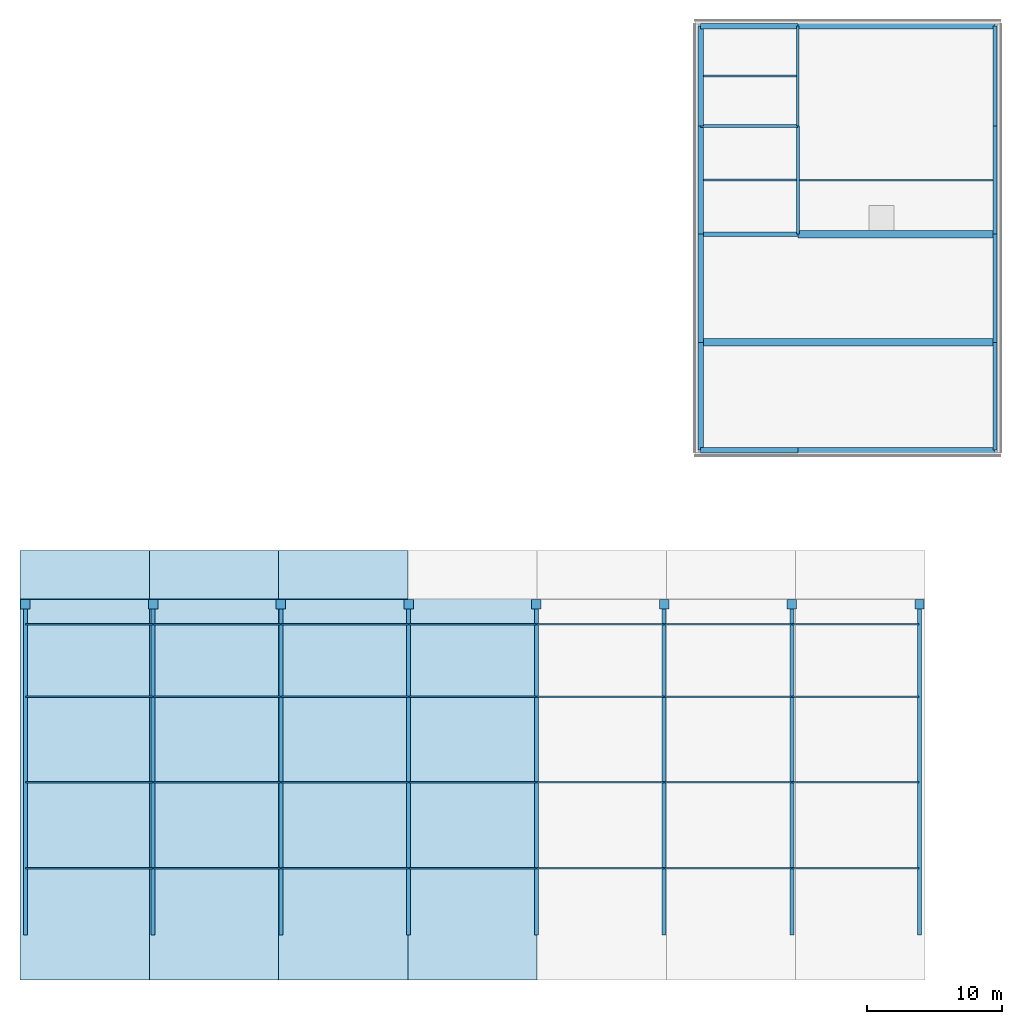
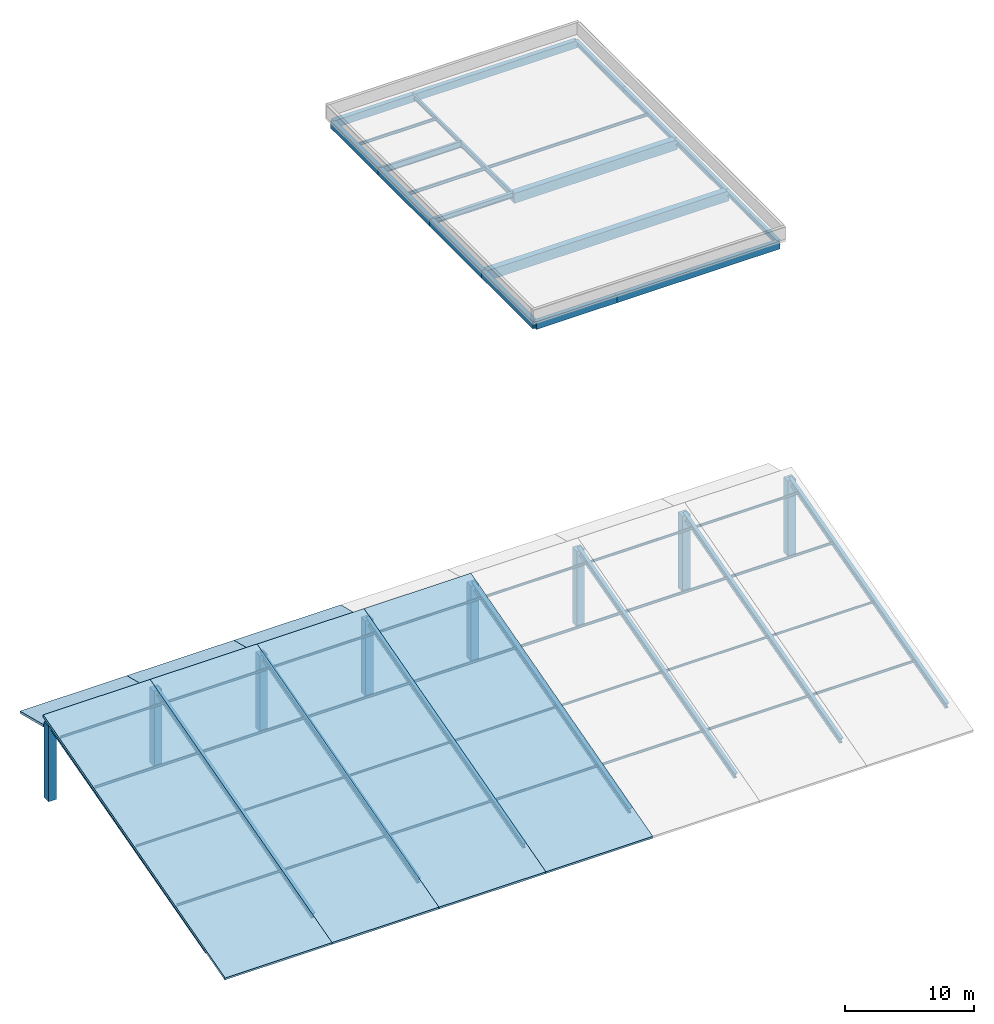
# One storey, part 1 of 3: 29 beams, 28 members, 8 columns, 7 slabs, 4 elements without a shape of their own.
"""IFC4 building model written with IfcOpenShell, lengths in metres."""

import ifcopenshell
import ifcopenshell.guid

model = None  # the IFC model being written
_history = None  # IfcOwnerHistory: only IFC2X3 demands one
_inside = {}  # id of a spatial element -> (the spatial element, [elements in it])
_under = {}  # id of a project, library or spatial element -> (it, [spatial elements below it])
_declared = {}  # id of a project -> (the project, [libraries it declares])
_typed = {}  # id of a type object -> (the type object, [elements of that type])
_made_of = {}  # id of a material, layer set ... -> (it, [elements and type objects made of it])


def new_model(schema):
    """Start an empty IFC model of exactly this schema.

    Asked for "IFC4X3", IfcOpenShell would pick the latest addendum, in which some entities
    have other attributes; the version numbers below select the first issue.
    IFC2X3 requires an IfcOwnerHistory on every rooted entity: one is made here for all.
    """
    global model, _history
    if schema == "IFC4X3":
        model = ifcopenshell.file(schema_version=(4, 3, 0, 0))
    else:
        model = ifcopenshell.file(schema=schema)
    _inside.clear()
    _under.clear()
    _declared.clear()
    _typed.clear()
    _made_of.clear()
    _history = None
    if model.schema == "IFC2X3":
        org = make("IfcOrganization", Name="unknown")
        user = make(
            "IfcPersonAndOrganization",
            ThePerson=make("IfcPerson", FamilyName="unknown"),
            TheOrganization=org,
        )
        app = make(
            "IfcApplication",
            ApplicationDeveloper=org,
            Version="unknown",
            ApplicationFullName="unknown",
            ApplicationIdentifier="unknown",
        )
        _history = make(
            "IfcOwnerHistory",
            OwningUser=user,
            OwningApplication=app,
            ChangeAction="ADDED",
            CreationDate=0,
        )
    return model


def make(cls, **values):
    """One entity of the class cls with the attributes given. An attribute that is None is left unset."""
    return model.create_entity(
        cls, **{name: value for name, value in values.items() if value is not None}
    )


def rooted(cls, **values):
    """An entity with a GlobalId (a new one), such as an element, a storey or a relation."""
    return make(cls, GlobalId=ifcopenshell.guid.new(), OwnerHistory=_history, **values)


def si_unit(unit_type, name, prefix=None):
    """IfcSIUnit, for example si_unit("LENGTHUNIT", "METRE", prefix="MILLI")."""
    return make("IfcSIUnit", UnitType=unit_type, Prefix=prefix, Name=name)


def assignment(units):
    """IfcUnitAssignment: the units of a project."""
    return None if units is None else make("IfcUnitAssignment", Units=units)


def point(xyz):
    """IfcCartesianPoint."""
    return None if xyz is None else make("IfcCartesianPoint", Coordinates=xyz)


def direction(xyz):
    """IfcDirection."""
    return None if xyz is None else make("IfcDirection", DirectionRatios=xyz)


def frame(location, z_axis=None, x_axis=None):
    """IfcAxis2Placement3D, a coordinate frame: its origin and axes. An axis left out is left unset."""
    return make(
        "IfcAxis2Placement3D",
        Location=point(location),
        Axis=direction(z_axis),
        RefDirection=direction(x_axis),
    )


def frame_2d(location, x_axis=None):
    """IfcAxis2Placement2D, a coordinate frame in the plane: its origin and x axis."""
    return make(
        "IfcAxis2Placement2D", Location=point(location), RefDirection=direction(x_axis)
    )


def origin():
    """The frame at (0, 0, 0) with its axes left unset."""
    return frame((0.0, 0.0, 0.0))


def origin_2d():
    """The frame at (0, 0) in the plane with its x axis left unset."""
    return frame_2d((0.0, 0.0))


def place(relative_to, where):
    """IfcLocalPlacement: puts the frame where relative to a parent placement (None: the world)."""
    return make(
        "IfcLocalPlacement", PlacementRelTo=relative_to, RelativePlacement=where
    )


def context(
    kind, dimensions, precision=None, world=None, true_north=None, identifier=None
):
    """IfcGeometricRepresentationContext, for example the 3D "Model" context."""
    return make(
        "IfcGeometricRepresentationContext",
        ContextIdentifier=identifier,
        ContextType=kind,
        CoordinateSpaceDimension=dimensions,
        Precision=precision,
        WorldCoordinateSystem=world,
        TrueNorth=true_north,
    )


def subcontext(parent, identifier, kind, view, scale=None):
    """IfcGeometricRepresentationSubContext, for example "Body" below "Model"."""
    return make(
        "IfcGeometricRepresentationSubContext",
        ContextIdentifier=identifier,
        ContextType=kind,
        ParentContext=parent,
        TargetScale=scale,
        TargetView=view,
    )


def project(units=None, contexts=None):
    """IfcProject with its units and contexts."""
    return rooted(
        "IfcProject",
        Name="project",
        RepresentationContexts=contexts,
        UnitsInContext=assignment(units),
    )


def spatial(cls, under=None, at=None, **own):
    """A site, building, storey or space (cls), placed at a placement, below another one or the project."""
    s = rooted(cls, ObjectPlacement=at, **own)
    if under is not None:
        _under.setdefault(under.id(), (under, []))[1].append(s)
    return s


def polyline(points):
    """IfcPolyline through the points."""
    return make("IfcPolyline", Points=[point(p) for p in points])


def profile(cls, at=None, kind="AREA", **sizes):
    """A parametric profile (cls). Its sizes go by their IFC names, for example OverallWidth=200.0."""
    return make(cls, ProfileType=kind, Position=at, **sizes)


def rectangle(**sizes):
    """IfcRectangleProfileDef."""
    return profile("IfcRectangleProfileDef", **sizes)


def i_section(**sizes):
    """IfcIShapeProfileDef."""
    return profile("IfcIShapeProfileDef", **sizes)


def outline(outer, holes=None, kind="AREA"):
    """IfcArbitraryClosedProfileDef: a profile drawn as a closed curve; with holes, ...WithVoids."""
    if holes is None:
        return make("IfcArbitraryClosedProfileDef", ProfileType=kind, OuterCurve=outer)
    return make(
        "IfcArbitraryProfileDefWithVoids",
        ProfileType=kind,
        OuterCurve=outer,
        InnerCurves=holes,
    )


def extrude(swept, where, along, depth):
    """IfcExtrudedAreaSolid: the profile swept, set in the frame where, extruded along a direction by depth."""
    return make(
        "IfcExtrudedAreaSolid",
        SweptArea=swept,
        Position=where,
        ExtrudedDirection=direction(along),
        Depth=depth,
    )


def shape(context_of_items, identifier, shape_type, items):
    """IfcShapeRepresentation: the items that make up one representation, for example the "Body"."""
    return make(
        "IfcShapeRepresentation",
        ContextOfItems=context_of_items,
        RepresentationIdentifier=identifier,
        RepresentationType=shape_type,
        Items=items,
    )


def material(Name=None, Category=None):
    """IfcMaterial."""
    return make("IfcMaterial", Name=Name, Category=Category)


def layer(
    of_material, thickness, ventilated=None, Name=None, Category=None, Priority=None
):
    """IfcMaterialLayer: one layer of a wall or slab, of a material (None: an air gap)."""
    return make(
        "IfcMaterialLayer",
        Material=of_material,
        LayerThickness=thickness,
        IsVentilated=ventilated,
        Name=Name,
        Category=Category,
        Priority=Priority,
    )


def layer_set(layers, Name=None):
    """IfcMaterialLayerSet."""
    return make("IfcMaterialLayerSet", MaterialLayers=layers, LayerSetName=Name)


def material_profile(
    of_material, cross_section, Name=None, Category=None, Priority=None
):
    """IfcMaterialProfile: a cross section and its material."""
    return make(
        "IfcMaterialProfile",
        Name=Name,
        Material=of_material,
        Profile=cross_section,
        Priority=Priority,
        Category=Category,
    )


def profile_set(profiles, Name=None, composite=None):
    """IfcMaterialProfileSet."""
    return make(
        "IfcMaterialProfileSet",
        Name=Name,
        MaterialProfiles=profiles,
        CompositeProfile=composite,
    )


def made_of(thing, what):
    """Note that an element or type object is made of a material, layer set ...; save() writes the relation."""
    if what is not None:
        _made_of.setdefault(what.id(), (what, []))[1].append(thing)
    return thing


def type_object(cls, material=None, **own):
    """A type object (cls), such as IfcWallType, which elements share."""
    return made_of(rooted(cls, **own), material)


def element(
    cls,
    number,
    at=None,
    inside=None,
    cuts=None,
    type_object=None,
    material=None,
    context=None,
    identifier="Body",
    shape_type=None,
    held_by="IfcProductDefinitionShape",
    body=None,
    shapes=None,
    **own,
):
    """One element of the class cls, such as IfcWall. Its Tag is "e" and its number.

    at: its placement. inside: the storey or other place that contains it. cuts: it is an
    opening in that element (IfcRelVoidsElement). A single representation is given by context,
    identifier, shape_type and body (its items); several are given by shapes. held_by: the class
    of the entity that holds the representations. save() writes the other relations.
    """
    e = rooted(cls, Tag="e%d" % number, ObjectPlacement=at, **own)
    if body is not None:
        shapes = [shape(context, identifier, shape_type, body)]
    if shapes is not None:
        e.Representation = make(held_by, Representations=shapes)
    if inside is not None:
        _inside.setdefault(inside.id(), (inside, []))[1].append(e)
    if cuts is not None:
        rooted(
            "IfcRelVoidsElement", RelatingBuildingElement=cuts, RelatedOpeningElement=e
        )
    if type_object is not None:
        _typed.setdefault(type_object.id(), (type_object, []))[1].append(e)
    return made_of(e, material)


def aggregate(whole, parts):
    """IfcRelAggregates: a whole, such as a stair, and the parts it consists of."""
    return rooted("IfcRelAggregates", RelatingObject=whole, RelatedObjects=parts)


def save(model, path):
    """Write the relations noted so far, then the file.

    IfcRelAggregates (storeys below a building ...), IfcRelContainedInSpatialStructure (elements
    in a storey), IfcRelDefinesByType, IfcRelAssociatesMaterial and IfcRelDeclares: one each for
    every whole, place, type object, material and project.
    """
    for whole, parts in _under.values():
        aggregate(whole, parts)
    for where, things in _inside.values():
        rooted(
            "IfcRelContainedInSpatialStructure",
            RelatedElements=things,
            RelatingStructure=where,
        )
    for kind, things in _typed.values():
        rooted("IfcRelDefinesByType", RelatedObjects=things, RelatingType=kind)
    for what, things in _made_of.values():
        rooted("IfcRelAssociatesMaterial", RelatedObjects=things, RelatingMaterial=what)
    for by, libraries in _declared.values():
        rooted("IfcRelDeclares", RelatingContext=by, RelatedDefinitions=libraries)
    model.write(path)


model = new_model("IFC4")

# Units and contexts
model_context = context("Model", 3, precision=1e-05, world=origin(), true_north=direction((0.0, 1.0)))
body_context = subcontext(model_context, "Body", "Model", "MODEL_VIEW")
ifc_project = project(units=[si_unit("LENGTHUNIT", "METRE"), si_unit("AREAUNIT", "SQUARE_METRE"), si_unit("VOLUMEUNIT", "CUBIC_METRE"), si_unit("PLANEANGLEUNIT", "RADIAN"), si_unit("MASSUNIT", "GRAM", prefix="KILO")], contexts=[model_context])

# Site, building, storey
site_placement = place(None, origin())
site = spatial("IfcSite", under=ifc_project, at=site_placement, CompositionType="ELEMENT")
building_placement = place(site_placement, origin())
building = spatial("IfcBuilding", under=site, at=building_placement, Name="Qalavern Law Courts", CompositionType="ELEMENT")
storey_placement = place(building_placement, frame((0.0, 0.0, 43.800048828125)))
storey = spatial("IfcBuildingStorey", under=building, at=storey_placement, Name="RF", CompositionType="ELEMENT", Elevation=43.800048828125)

# Columns
ifc_material_1 = material(Name="Concrete C45/55", Category="concrete")
ifc_material_profile_1 = material_profile(ifc_material_1, rectangle(XDim=0.699951171875, YDim=0.699951171875, at=origin_2d()), Name="RC 700x700")
ifc_profile_set_1 = profile_set([ifc_material_profile_1], Name="Concrete C45/55")
column_type = type_object("IfcColumnType", Name="STR-COL-RC700E", PredefinedType="COLUMN", material=ifc_profile_set_1)
for number, where, z_axis, x_axis, name in (
    (1, (34.6201171875, 30.0, -21.0), (0.0, 0.0, 1.0), (1.0, 0.0, 0.0), "Ceremonial Hall north roof column 1"),
    (2, (44.07421875, 30.0, -21.0), (0.0, 0.0, 1.0), (1.0, 0.0, 0.0), "Ceremonial Hall north roof column 2"),
    (3, (53.528564453125, 30.0, -21.0), (0.0, 0.0, 1.0), (1.0, 0.0, 0.0), "Ceremonial Hall north roof column 3"),
    (4, (62.98291015625, 30.0, -21.0), (0.0, 0.0, 1.0), (1.0, 0.0, 0.0), "Ceremonial Hall north roof column 4"),
    (5, (72.43701171875, 30.0, -21.0), (0.0, 0.0, 1.0), (1.0, 0.0, 0.0), "Ceremonial Hall north roof column 5"),
    (6, (81.891357421875, 30.0, -21.0), (0.0, 0.0, 1.0), (1.0, 0.0, 0.0), "Ceremonial Hall north roof column 6"),
    (7, (91.345703125, 30.0, -21.0), (0.0, 0.0, 1.0), (1.0, 0.0, 0.0), "Ceremonial Hall north roof column 7"),
    (8, (100.800048828125, 30.0, -21.0), (0.0, 0.0, 1.0), (1.0, 0.0, 0.0), "Ceremonial Hall north roof column 8"),
):
    element("IfcColumn", number, at=place(storey_placement, frame(where, z_axis=z_axis, x_axis=x_axis)), inside=storey, type_object=column_type, Name=name, PredefinedType="COLUMN", context=body_context, shape_type="SweptSolid", body=[
        extrude(rectangle(XDim=0.699951171875, YDim=0.699951171875, at=origin_2d()), origin(), (0.0, 0.0, 1.0), 7.14990234375),
    ])

# Beams
ifc_material_2 = material(Name="Steel S355", Category="steel")
ifc_material_profile_2 = material_profile(ifc_material_2, i_section(OverallWidth=0.300048828125, OverallDepth=0.489990234375, WebThickness=0.011962890625, FlangeThickness=0.02294921875, FilletRadius=0.027099609375, at=origin_2d()), Name="HEA 500")
ifc_profile_set_2 = profile_set([ifc_material_profile_2], Name="Steel S355")
beam_type_1 = type_object("IfcBeamType", Name="STR-BM-HEA500", PredefinedType="BEAM", material=ifc_profile_set_2)
beam_1_placement = place(storey_placement, frame((84.60009765625, 57.39990234375, -0.4951171875), z_axis=(1.0, 0.0, 0.0), x_axis=(0.0, 1.0, 0.0)))
element("IfcBeam", 9, at=beam_1_placement, inside=storey, type_object=beam_type_1, Name="V4 X-beam 3-1 RF", PredefinedType="BEAM", context=body_context, shape_type="SweptSolid", body=[
    extrude(i_section(OverallWidth=0.300048828125, OverallDepth=0.489990234375, WebThickness=0.011962890625, FlangeThickness=0.02294921875, FilletRadius=0.027099609375, at=origin_2d()), origin(), (0.0, 0.0, 1.0), 7.199951171875),
])
ifc_material_profile_3 = material_profile(ifc_material_2, i_section(OverallWidth=0.300048828125, OverallDepth=0.550048828125, WebThickness=0.014892578125, FlangeThickness=0.029052734375, FilletRadius=0.027099609375, at=origin_2d()), Name="HEB 550")
ifc_profile_set_3 = profile_set([ifc_material_profile_3], Name="Steel S355")
beam_type_2 = type_object("IfcBeamType", Name="STR-BM-HEB550", PredefinedType="BEAM", material=ifc_profile_set_3)
for number, where, z_axis, x_axis, name in (
    (10, (34.6201171875, 5.60009765625, -20.6201171875), (0.0, 0.964606624283, 0.263693117829), (-1.0, 0.0, 0.0), "Folded-plate roof raking girder 1"),
    (11, (44.07421875, 5.60009765625, -20.6201171875), (0.0, 0.964606624283, 0.263693117829), (-1.0, 0.0, 0.0), "Folded-plate roof raking girder 2"),
    (12, (53.528564453125, 5.60009765625, -20.6201171875), (0.0, 0.964606624283, 0.263693117829), (-1.0, 0.0, 0.0), "Folded-plate roof raking girder 3"),
    (13, (62.98291015625, 5.60009765625, -20.6201171875), (0.0, 0.964606624283, 0.263693117829), (-1.0, 0.0, 0.0), "Folded-plate roof raking girder 4"),
    (14, (72.43701171875, 5.60009765625, -20.6201171875), (0.0, 0.964606624283, 0.263693117829), (-1.0, 0.0, 0.0), "Folded-plate roof raking girder 5"),
    (15, (81.891357421875, 5.60009765625, -20.6201171875), (0.0, 0.964606624283, 0.263693117829), (-1.0, 0.0, 0.0), "Folded-plate roof raking girder 6"),
    (16, (91.345703125, 5.60009765625, -20.6201171875), (0.0, 0.964606624283, 0.263693117829), (-1.0, 0.0, 0.0), "Folded-plate roof raking girder 7"),
    (17, (100.800048828125, 5.60009765625, -20.6201171875), (0.0, 0.964606624283, 0.263693117829), (-1.0, 0.0, 0.0), "Folded-plate roof raking girder 8"),
):
    element("IfcBeam", number, at=place(storey_placement, frame(where, z_axis=z_axis, x_axis=x_axis)), inside=storey, type_object=beam_type_2, Name=name, PredefinedType="BEAM", context=body_context, shape_type="SweptSolid", body=[
        extrude(i_section(OverallWidth=0.300048828125, OverallDepth=0.550048828125, WebThickness=0.014892578125, FlangeThickness=0.029052734375, FilletRadius=0.027099609375, at=origin_2d()), origin(), (0.0, 0.0, 1.0), 25.295166015625),
    ])
ifc_material_profile_4 = material_profile(ifc_material_2, i_section(OverallWidth=0.179931640625, OverallDepth=0.39990234375, WebThickness=0.008544921875, FlangeThickness=0.013427734375, FilletRadius=0.02099609375, at=origin_2d()), Name="IPE 400")
ifc_profile_set_4 = profile_set([ifc_material_profile_4], Name="Steel S355")
beam_type_3 = type_object("IfcBeamType", Name="STR-BM-IPE400", PredefinedType="BEAM", material=ifc_profile_set_4)
beam_2_placement = place(storey_placement, frame((91.800048828125, 65.39990234375, -0.449951171875), z_axis=(0.0, 1.0, 0.0), x_axis=(-1.0, 0.0, 0.0)))
element("IfcBeam", 18, at=beam_2_placement, inside=storey, type_object=beam_type_3, Name="V4 Y-beam 2-3 RF", PredefinedType="BEAM", context=body_context, shape_type="SweptSolid", body=[
    extrude(i_section(OverallWidth=0.179931640625, OverallDepth=0.39990234375, WebThickness=0.008544921875, FlangeThickness=0.013427734375, FilletRadius=0.02099609375, at=origin_2d()), origin(), (0.0, 0.0, 1.0), 7.400146484375),
])
ifc_material_profile_5 = material_profile(ifc_material_2, i_section(OverallWidth=0.199951171875, OverallDepth=0.5, WebThickness=0.01025390625, FlangeThickness=0.01611328125, FilletRadius=0.02099609375, at=origin_2d()), Name="IPE 500")
ifc_profile_set_5 = profile_set([ifc_material_profile_5], Name="Steel S355")
beam_type_4 = type_object("IfcBeamType", Name="STR-BM-IPE500", PredefinedType="BEAM", material=ifc_profile_set_5)
beam_3_placement = place(storey_placement, frame((91.800048828125, 57.39990234375, -0.5), z_axis=(0.0, 1.0, 0.0), x_axis=(-1.0, 0.0, 0.0)))
element("IfcBeam", 19, at=beam_3_placement, inside=storey, type_object=beam_type_4, Name="V4 Y-beam 2-2 RF", PredefinedType="BEAM", context=body_context, shape_type="SweptSolid", body=[
    extrude(i_section(OverallWidth=0.199951171875, OverallDepth=0.5, WebThickness=0.01025390625, FlangeThickness=0.01611328125, FilletRadius=0.02099609375, at=origin_2d()), origin(), (0.0, 0.0, 1.0), 8.0),
])
ifc_material_profile_6 = material_profile(ifc_material_2, i_section(OverallWidth=0.219970703125, OverallDepth=0.60009765625, WebThickness=0.011962890625, FlangeThickness=0.01904296875, FilletRadius=0.02392578125, at=origin_2d()), Name="IPE 600")
ifc_profile_set_6 = profile_set([ifc_material_profile_6], Name="Steel S355")
beam_type_5 = type_object("IfcBeamType", Name="STR-BM-IPE600", PredefinedType="BEAM", material=ifc_profile_set_6)
beam_4_placement = place(storey_placement, frame((84.60009765625, 65.39990234375, -0.550048828125), z_axis=(1.0, 0.0, 0.0), x_axis=(0.0, 1.0, 0.0)))
element("IfcBeam", 20, at=beam_4_placement, inside=storey, type_object=beam_type_5, Name="V4 X-beam 4-1 RF", PredefinedType="BEAM", context=body_context, shape_type="SweptSolid", body=[
    extrude(i_section(OverallWidth=0.219970703125, OverallDepth=0.60009765625, WebThickness=0.011962890625, FlangeThickness=0.01904296875, FilletRadius=0.02392578125, at=origin_2d()), origin(), (0.0, 0.0, 1.0), 7.199951171875),
])
ifc_material_3 = material(Name="Concrete C40/50", Category="concrete")
ifc_material_profile_7 = material_profile(ifc_material_3, rectangle(XDim=0.550048828125, YDim=0.949951171875, at=origin_2d()), Name="RC 550x950")
ifc_profile_set_7 = profile_set([ifc_material_profile_7], Name="Concrete C40/50")
beam_type_6 = type_object("IfcBeamType", Name="STR-BM-RC550x950", PredefinedType="BEAM", material=ifc_profile_set_7)
beam_5_placement = place(storey_placement, frame((84.60009765625, 49.39990234375, -0.72509765625), z_axis=(1.0, 0.0, 0.0), x_axis=(0.0, 1.0, 0.0)))
element("IfcBeam", 21, at=beam_5_placement, inside=storey, type_object=beam_type_6, Name="V4 X-beam 2-1 RF", PredefinedType="BEAM", context=body_context, shape_type="SweptSolid", body=[
    extrude(rectangle(XDim=0.550048828125, YDim=0.949951171875, at=origin_2d()), origin(), (0.0, 0.0, 1.0), 21.7998046875),
])
beam_6_placement = place(storey_placement, frame((91.800048828125, 57.39990234375, -0.72509765625), z_axis=(1.0, 0.0, 0.0), x_axis=(0.0, 1.0, 0.0)))
element("IfcBeam", 22, at=beam_6_placement, inside=storey, type_object=beam_type_6, Name="V4 X-beam 3-2 RF", PredefinedType="BEAM", context=body_context, shape_type="SweptSolid", body=[
    extrude(rectangle(XDim=0.550048828125, YDim=0.949951171875, at=origin_2d()), origin(), (0.0, 0.0, 1.0), 14.599853515625),
])
ifc_material_profile_8 = material_profile(ifc_material_2, i_section(OverallWidth=0.135009765625, OverallDepth=0.27001953125, WebThickness=0.006591796875, FlangeThickness=0.01025390625, FilletRadius=0.014892578125, at=origin_2d()), Name="IPE 270")
ifc_profile_set_8 = profile_set([ifc_material_profile_8], Name="Steel S355")
beam_type_7 = type_object("IfcBeamType", Name="STR-JST-IPE270", PredefinedType="JOIST", material=ifc_profile_set_8)
beam_7_placement = place(storey_placement, frame((84.798095703125, 69.10009765625, -0.385009765625), z_axis=(1.0, 0.0, 0.0), x_axis=(0.0, 1.0, 0.0)))
element("IfcBeam", 23, at=beam_7_placement, inside=storey, type_object=beam_type_7, Name="V4 secondary joist 1.4.1 RF", PredefinedType="JOIST", context=body_context, shape_type="SweptSolid", body=[
    extrude(i_section(OverallWidth=0.135009765625, OverallDepth=0.27001953125, WebThickness=0.006591796875, FlangeThickness=0.01025390625, FilletRadius=0.014892578125, at=origin_2d()), origin(), (0.0, 0.0, 1.0), 6.913818359375),
])
beam_8_placement = place(storey_placement, frame((91.89794921875, 61.39990234375, -0.385009765625), z_axis=(1.0, 0.0, 0.0), x_axis=(0.0, 1.0, 0.0)))
element("IfcBeam", 24, at=beam_8_placement, inside=storey, type_object=beam_type_7, Name="V4 secondary joist 2.3.1 RF", PredefinedType="JOIST", context=body_context, shape_type="SweptSolid", body=[
    extrude(i_section(OverallWidth=0.135009765625, OverallDepth=0.27001953125, WebThickness=0.006591796875, FlangeThickness=0.01025390625, FilletRadius=0.014892578125, at=origin_2d()), origin(), (0.0, 0.0, 1.0), 14.35400390625),
])
ifc_material_profile_9 = material_profile(ifc_material_2, i_section(OverallWidth=0.14990234375, OverallDepth=0.300048828125, WebThickness=0.007080078125, FlangeThickness=0.0107421875, FilletRadius=0.014892578125, at=origin_2d()), Name="IPE 300")
ifc_profile_set_9 = profile_set([ifc_material_profile_9], Name="Steel S355")
beam_type_8 = type_object("IfcBeamType", Name="STR-JST-IPE300", PredefinedType="JOIST", material=ifc_profile_set_9)
beam_9_placement = place(storey_placement, frame((84.798095703125, 61.39990234375, -0.400146484375), z_axis=(1.0, 0.0, 0.0), x_axis=(0.0, 1.0, 0.0)))
element("IfcBeam", 25, at=beam_9_placement, inside=storey, type_object=beam_type_8, Name="V4 secondary joist 1.3.1 RF", PredefinedType="JOIST", context=body_context, shape_type="SweptSolid", body=[
    extrude(i_section(OverallWidth=0.14990234375, OverallDepth=0.300048828125, WebThickness=0.007080078125, FlangeThickness=0.0107421875, FilletRadius=0.014892578125, at=origin_2d()), origin(), (0.0, 0.0, 1.0), 6.90380859375),
])

# Members
ifc_material_profile_10 = material_profile(ifc_material_2, i_section(OverallWidth=0.10009765625, OverallDepth=0.199951171875, WebThickness=0.005615234375, FlangeThickness=0.008544921875, FilletRadius=0.011962890625, at=origin_2d()), Name="IPE 200")
ifc_profile_set_10 = profile_set([ifc_material_profile_10], Name="Steel S355")
member_type_1 = type_object("IfcMemberType", Name="STR-PUR-IPE200", PredefinedType="PURLIN", material=ifc_profile_set_10)
for number, where, z_axis, x_axis, name in (
    (26, (34.639892578125, 16.823974609375, -17.5517578125), (1.0, 0.0, 0.0), (0.0, 1.0, 0.0), "Ceremonial roof purlin B1-2"),
    (27, (44.09423828125, 16.823974609375, -17.5517578125), (1.0, 0.0, 0.0), (0.0, 1.0, 0.0), "Ceremonial roof purlin B2-2"),
    (28, (53.548583984375, 16.823974609375, -17.5517578125), (1.0, 0.0, 0.0), (0.0, 1.0, 0.0), "Ceremonial roof purlin B3-2"),
):
    element("IfcMember", number, at=place(storey_placement, frame(where, z_axis=z_axis, x_axis=x_axis)), inside=storey, type_object=member_type_1, Name=name, PredefinedType="PURLIN", context=body_context, shape_type="SweptSolid", body=[
        extrude(i_section(OverallWidth=0.10009765625, OverallDepth=0.199951171875, WebThickness=0.005615234375, FlangeThickness=0.008544921875, FilletRadius=0.011962890625, at=origin_2d()), origin(), (0.0, 0.0, 1.0), 9.414306640625),
    ])
member_1_placement = place(storey_placement, frame((63.0029296875, 16.823974609375, -17.5517578125), z_axis=(1.0, 0.0, 0.0), x_axis=(0.0, 1.0, 0.0)))
element("IfcMember", 29, at=member_1_placement, inside=storey, type_object=member_type_1, Name="Ceremonial roof purlin B4-2", PredefinedType="PURLIN", context=body_context, shape_type="SweptSolid", body=[
    extrude(i_section(OverallWidth=0.10009765625, OverallDepth=0.199951171875, WebThickness=0.005615234375, FlangeThickness=0.008544921875, FilletRadius=0.011962890625, at=origin_2d()), origin(), (0.0, 0.0, 1.0), 9.4140625),
])
for number, where, z_axis, x_axis, name in (
    (30, (72.45703125, 16.823974609375, -17.5517578125), (1.0, 0.0, 0.0), (0.0, 1.0, 0.0), "Ceremonial roof purlin B5-2"),
    (31, (81.911376953125, 16.823974609375, -17.5517578125), (1.0, 0.0, 0.0), (0.0, 1.0, 0.0), "Ceremonial roof purlin B6-2"),
    (32, (91.36572265625, 16.823974609375, -17.5517578125), (1.0, 0.0, 0.0), (0.0, 1.0, 0.0), "Ceremonial roof purlin B7-2"),
):
    element("IfcMember", number, at=place(storey_placement, frame(where, z_axis=z_axis, x_axis=x_axis)), inside=storey, type_object=member_type_1, Name=name, PredefinedType="PURLIN", context=body_context, shape_type="SweptSolid", body=[
        extrude(i_section(OverallWidth=0.10009765625, OverallDepth=0.199951171875, WebThickness=0.005615234375, FlangeThickness=0.008544921875, FilletRadius=0.011962890625, at=origin_2d()), origin(), (0.0, 0.0, 1.0), 9.414306640625),
    ])
ifc_material_profile_11 = material_profile(ifc_material_2, i_section(OverallWidth=0.110107421875, OverallDepth=0.219970703125, WebThickness=0.005859375, FlangeThickness=0.00927734375, FilletRadius=0.011962890625, at=origin_2d()), Name="IPE 220")
ifc_profile_set_11 = profile_set([ifc_material_profile_11], Name="Steel S355")
member_type_2 = type_object("IfcMemberType", Name="STR-PUR-IPE220", PredefinedType="PURLIN", material=ifc_profile_set_11)
for number, where, z_axis, x_axis, name in (
    (33, (34.639892578125, 10.47998046875, -19.2861328125), (1.0, 0.0, 0.0), (0.0, 1.0, 0.0), "Ceremonial roof purlin B1-1"),
    (34, (34.639892578125, 28.535888671875, -14.350341796875), (1.0, 0.0, 0.0), (0.0, 1.0, 0.0), "Ceremonial roof purlin B1-4"),
    (35, (44.09423828125, 10.47998046875, -19.2861328125), (1.0, 0.0, 0.0), (0.0, 1.0, 0.0), "Ceremonial roof purlin B2-1"),
    (36, (44.09423828125, 28.535888671875, -14.350341796875), (1.0, 0.0, 0.0), (0.0, 1.0, 0.0), "Ceremonial roof purlin B2-4"),
    (37, (53.548583984375, 10.47998046875, -19.2861328125), (1.0, 0.0, 0.0), (0.0, 1.0, 0.0), "Ceremonial roof purlin B3-1"),
    (38, (53.548583984375, 28.535888671875, -14.350341796875), (1.0, 0.0, 0.0), (0.0, 1.0, 0.0), "Ceremonial roof purlin B3-4"),
):
    element("IfcMember", number, at=place(storey_placement, frame(where, z_axis=z_axis, x_axis=x_axis)), inside=storey, type_object=member_type_2, Name=name, PredefinedType="PURLIN", context=body_context, shape_type="SweptSolid", body=[
        extrude(i_section(OverallWidth=0.110107421875, OverallDepth=0.219970703125, WebThickness=0.005859375, FlangeThickness=0.00927734375, FilletRadius=0.011962890625, at=origin_2d()), origin(), (0.0, 0.0, 1.0), 9.414306640625),
    ])
for number, where, z_axis, x_axis, name in (
    (39, (63.0029296875, 10.47998046875, -19.2861328125), (1.0, 0.0, 0.0), (0.0, 1.0, 0.0), "Ceremonial roof purlin B4-1"),
    (40, (63.0029296875, 28.535888671875, -14.350341796875), (1.0, 0.0, 0.0), (0.0, 1.0, 0.0), "Ceremonial roof purlin B4-4"),
):
    element("IfcMember", number, at=place(storey_placement, frame(where, z_axis=z_axis, x_axis=x_axis)), inside=storey, type_object=member_type_2, Name=name, PredefinedType="PURLIN", context=body_context, shape_type="SweptSolid", body=[
        extrude(i_section(OverallWidth=0.110107421875, OverallDepth=0.219970703125, WebThickness=0.005859375, FlangeThickness=0.00927734375, FilletRadius=0.011962890625, at=origin_2d()), origin(), (0.0, 0.0, 1.0), 9.4140625),
    ])
for number, where, z_axis, x_axis, name in (
    (41, (72.45703125, 10.47998046875, -19.2861328125), (1.0, 0.0, 0.0), (0.0, 1.0, 0.0), "Ceremonial roof purlin B5-1"),
    (42, (72.45703125, 28.535888671875, -14.350341796875), (1.0, 0.0, 0.0), (0.0, 1.0, 0.0), "Ceremonial roof purlin B5-4"),
    (43, (81.911376953125, 10.47998046875, -19.2861328125), (1.0, 0.0, 0.0), (0.0, 1.0, 0.0), "Ceremonial roof purlin B6-1"),
    (44, (81.911376953125, 28.535888671875, -14.350341796875), (1.0, 0.0, 0.0), (0.0, 1.0, 0.0), "Ceremonial roof purlin B6-4"),
    (45, (91.36572265625, 10.47998046875, -19.2861328125), (1.0, 0.0, 0.0), (0.0, 1.0, 0.0), "Ceremonial roof purlin B7-1"),
    (46, (91.36572265625, 28.535888671875, -14.350341796875), (1.0, 0.0, 0.0), (0.0, 1.0, 0.0), "Ceremonial roof purlin B7-4"),
):
    element("IfcMember", number, at=place(storey_placement, frame(where, z_axis=z_axis, x_axis=x_axis)), inside=storey, type_object=member_type_2, Name=name, PredefinedType="PURLIN", context=body_context, shape_type="SweptSolid", body=[
        extrude(i_section(OverallWidth=0.110107421875, OverallDepth=0.219970703125, WebThickness=0.005859375, FlangeThickness=0.00927734375, FilletRadius=0.011962890625, at=origin_2d()), origin(), (0.0, 0.0, 1.0), 9.414306640625),
    ])
ifc_material_profile_12 = material_profile(ifc_material_2, i_section(OverallWidth=0.1201171875, OverallDepth=0.239990234375, WebThickness=0.006103515625, FlangeThickness=0.009765625, FilletRadius=0.014892578125, at=origin_2d()), Name="IPE 240")
ifc_profile_set_12 = profile_set([ifc_material_profile_12], Name="Steel S355")
member_type_3 = type_object("IfcMemberType", Name="STR-PUR-IPE240", PredefinedType="PURLIN", material=ifc_profile_set_12)
for number, where, z_axis, x_axis, name in (
    (47, (34.639892578125, 23.16796875, -15.817626953125), (1.0, 0.0, 0.0), (0.0, 1.0, 0.0), "Ceremonial roof purlin B1-3"),
    (48, (44.09423828125, 23.16796875, -15.817626953125), (1.0, 0.0, 0.0), (0.0, 1.0, 0.0), "Ceremonial roof purlin B2-3"),
    (49, (53.548583984375, 23.16796875, -15.817626953125), (1.0, 0.0, 0.0), (0.0, 1.0, 0.0), "Ceremonial roof purlin B3-3"),
):
    element("IfcMember", number, at=place(storey_placement, frame(where, z_axis=z_axis, x_axis=x_axis)), inside=storey, type_object=member_type_3, Name=name, PredefinedType="PURLIN", context=body_context, shape_type="SweptSolid", body=[
        extrude(i_section(OverallWidth=0.1201171875, OverallDepth=0.239990234375, WebThickness=0.006103515625, FlangeThickness=0.009765625, FilletRadius=0.014892578125, at=origin_2d()), origin(), (0.0, 0.0, 1.0), 9.414306640625),
    ])
member_2_placement = place(storey_placement, frame((63.0029296875, 23.16796875, -15.817626953125), z_axis=(1.0, 0.0, 0.0), x_axis=(0.0, 1.0, 0.0)))
element("IfcMember", 50, at=member_2_placement, inside=storey, type_object=member_type_3, Name="Ceremonial roof purlin B4-3", PredefinedType="PURLIN", context=body_context, shape_type="SweptSolid", body=[
    extrude(i_section(OverallWidth=0.1201171875, OverallDepth=0.239990234375, WebThickness=0.006103515625, FlangeThickness=0.009765625, FilletRadius=0.014892578125, at=origin_2d()), origin(), (0.0, 0.0, 1.0), 9.4140625),
])
for number, where, z_axis, x_axis, name in (
    (51, (72.45703125, 23.16796875, -15.817626953125), (1.0, 0.0, 0.0), (0.0, 1.0, 0.0), "Ceremonial roof purlin B5-3"),
    (52, (81.911376953125, 23.16796875, -15.817626953125), (1.0, 0.0, 0.0), (0.0, 1.0, 0.0), "Ceremonial roof purlin B6-3"),
    (53, (91.36572265625, 23.16796875, -15.817626953125), (1.0, 0.0, 0.0), (0.0, 1.0, 0.0), "Ceremonial roof purlin B7-3"),
):
    element("IfcMember", number, at=place(storey_placement, frame(where, z_axis=z_axis, x_axis=x_axis)), inside=storey, type_object=member_type_3, Name=name, PredefinedType="PURLIN", context=body_context, shape_type="SweptSolid", body=[
        extrude(i_section(OverallWidth=0.1201171875, OverallDepth=0.239990234375, WebThickness=0.006103515625, FlangeThickness=0.009765625, FilletRadius=0.014892578125, at=origin_2d()), origin(), (0.0, 0.0, 1.0), 9.414306640625),
    ])

# Beams
ifc_material_profile_13 = material_profile(ifc_material_2, i_section(OverallWidth=0.300048828125, OverallDepth=0.449951171875, WebThickness=0.013916015625, FlangeThickness=0.02587890625, FilletRadius=0.027099609375, at=origin_2d()), Name="HEB 450")
ifc_profile_set_13 = profile_set([ifc_material_profile_13], Name="Steel S355")
beam_type_9 = type_object("IfcBeamType", Name="STR-SP-HEB450", PredefinedType="SPANDREL", material=ifc_profile_set_13)
beam_10_placement = place(storey_placement, frame((106.39990234375, 41.419921875, -0.47509765625), z_axis=(0.0, 1.0, 0.0), x_axis=(-1.0, 0.0, 0.0)))
element("IfcBeam", 54, at=beam_10_placement, inside=storey, type_object=beam_type_9, Name="V4 Y-beam 3-1 RF", PredefinedType="SPANDREL", context=body_context, shape_type="SweptSolid", body=[
    extrude(i_section(OverallWidth=0.300048828125, OverallDepth=0.449951171875, WebThickness=0.013916015625, FlangeThickness=0.02587890625, FilletRadius=0.027099609375, at=origin_2d()), origin(), (0.0, 0.0, 1.0), 7.97998046875),
])
for number, where, z_axis, x_axis, name in (
    (55, (106.39990234375, 49.39990234375, -0.47509765625), (0.0, 1.0, 0.0), (-1.0, 0.0, 0.0), "V4 Y-beam 3-2 RF"),
    (56, (106.39990234375, 57.39990234375, -0.47509765625), (0.0, 1.0, 0.0), (-1.0, 0.0, 0.0), "V4 Y-beam 3-3 RF"),
):
    element("IfcBeam", number, at=place(storey_placement, frame(where, z_axis=z_axis, x_axis=x_axis)), inside=storey, type_object=beam_type_9, Name=name, PredefinedType="SPANDREL", context=body_context, shape_type="SweptSolid", body=[
        extrude(i_section(OverallWidth=0.300048828125, OverallDepth=0.449951171875, WebThickness=0.013916015625, FlangeThickness=0.02587890625, FilletRadius=0.027099609375, at=origin_2d()), origin(), (0.0, 0.0, 1.0), 8.0),
    ])
beam_11_placement = place(storey_placement, frame((106.39990234375, 65.39990234375, -0.47509765625), z_axis=(0.0, 1.0, 0.0), x_axis=(-1.0, 0.0, 0.0)))
element("IfcBeam", 57, at=beam_11_placement, inside=storey, type_object=beam_type_9, Name="V4 Y-beam 3-4 RF", PredefinedType="SPANDREL", context=body_context, shape_type="SweptSolid", body=[
    extrude(i_section(OverallWidth=0.300048828125, OverallDepth=0.449951171875, WebThickness=0.013916015625, FlangeThickness=0.02587890625, FilletRadius=0.027099609375, at=origin_2d()), origin(), (0.0, 0.0, 1.0), 7.400146484375),
])
ifc_material_profile_14 = material_profile(ifc_material_3, rectangle(XDim=0.39990234375, YDim=0.699951171875, at=origin_2d()), Name="RC 400x700")
ifc_profile_set_14 = profile_set([ifc_material_profile_14], Name="Concrete C40/50")
beam_type_10 = type_object("IfcBeamType", Name="STR-SP-RC400x700", PredefinedType="SPANDREL", material=ifc_profile_set_14)
beam_12_placement = place(storey_placement, frame((84.60009765625, 41.419921875, -0.60009765625), z_axis=(1.0, 0.0, 0.0), x_axis=(0.0, 1.0, 0.0)))
element("IfcBeam", 58, at=beam_12_placement, inside=storey, type_object=beam_type_10, Name="V4 X-beam 1-1 RF", PredefinedType="SPANDREL", context=body_context, shape_type="SweptSolid", body=[
    extrude(rectangle(XDim=0.39990234375, YDim=0.699951171875, at=origin_2d()), origin(), (0.0, 0.0, 1.0), 7.199951171875),
])
beam_13_placement = place(storey_placement, frame((91.800048828125, 41.419921875, -0.60009765625), z_axis=(1.0, 0.0, 0.0), x_axis=(0.0, 1.0, 0.0)))
element("IfcBeam", 59, at=beam_13_placement, inside=storey, type_object=beam_type_10, Name="V4 X-beam 1-2 RF", PredefinedType="SPANDREL", context=body_context, shape_type="SweptSolid", body=[
    extrude(rectangle(XDim=0.39990234375, YDim=0.699951171875, at=origin_2d()), origin(), (0.0, 0.0, 1.0), 14.599853515625),
])
beam_14_placement = place(storey_placement, frame((84.60009765625, 72.800048828125, -0.60009765625), z_axis=(1.0, 0.0, 0.0), x_axis=(0.0, 1.0, 0.0)))
element("IfcBeam", 60, at=beam_14_placement, inside=storey, type_object=beam_type_10, Name="V4 X-beam 5-1 RF", PredefinedType="SPANDREL", context=body_context, shape_type="SweptSolid", body=[
    extrude(rectangle(XDim=0.39990234375, YDim=0.699951171875, at=origin_2d()), origin(), (0.0, 0.0, 1.0), 7.199951171875),
])
beam_15_placement = place(storey_placement, frame((91.800048828125, 72.800048828125, -0.60009765625), z_axis=(1.0, 0.0, 0.0), x_axis=(0.0, 1.0, 0.0)))
element("IfcBeam", 61, at=beam_15_placement, inside=storey, type_object=beam_type_10, Name="V4 X-beam 5-2 RF", PredefinedType="SPANDREL", context=body_context, shape_type="SweptSolid", body=[
    extrude(rectangle(XDim=0.39990234375, YDim=0.699951171875, at=origin_2d()), origin(), (0.0, 0.0, 1.0), 14.599853515625),
])
beam_16_placement = place(storey_placement, frame((84.60009765625, 41.419921875, -0.60009765625), z_axis=(0.0, 1.0, 0.0), x_axis=(-1.0, 0.0, 0.0)))
element("IfcBeam", 62, at=beam_16_placement, inside=storey, type_object=beam_type_10, Name="V4 Y-beam 1-1 RF", PredefinedType="SPANDREL", context=body_context, shape_type="SweptSolid", body=[
    extrude(rectangle(XDim=0.39990234375, YDim=0.699951171875, at=origin_2d()), origin(), (0.0, 0.0, 1.0), 7.97998046875),
])
for number, where, z_axis, x_axis, name in (
    (63, (84.60009765625, 49.39990234375, -0.60009765625), (0.0, 1.0, 0.0), (-1.0, 0.0, 0.0), "V4 Y-beam 1-2 RF"),
    (64, (84.60009765625, 57.39990234375, -0.60009765625), (0.0, 1.0, 0.0), (-1.0, 0.0, 0.0), "V4 Y-beam 1-3 RF"),
):
    element("IfcBeam", number, at=place(storey_placement, frame(where, z_axis=z_axis, x_axis=x_axis)), inside=storey, type_object=beam_type_10, Name=name, PredefinedType="SPANDREL", context=body_context, shape_type="SweptSolid", body=[
        extrude(rectangle(XDim=0.39990234375, YDim=0.699951171875, at=origin_2d()), origin(), (0.0, 0.0, 1.0), 8.0),
    ])
beam_17_placement = place(storey_placement, frame((84.60009765625, 65.39990234375, -0.60009765625), z_axis=(0.0, 1.0, 0.0), x_axis=(-1.0, 0.0, 0.0)))
element("IfcBeam", 65, at=beam_17_placement, inside=storey, type_object=beam_type_10, Name="V4 Y-beam 1-4 RF", PredefinedType="SPANDREL", context=body_context, shape_type="SweptSolid", body=[
    extrude(rectangle(XDim=0.39990234375, YDim=0.699951171875, at=origin_2d()), origin(), (0.0, 0.0, 1.0), 7.400146484375),
])

# Roof, slab
roof_type = type_object("IfcRoofType", Name="ARCH-ROOF-PAVILION", PredefinedType="PAVILION_ROOF", material=ifc_material_3)
roof_1_placement = place(storey_placement, origin())
roof_1 = element("IfcRoof", 66, at=roof_1_placement, inside=storey, type_object=roof_type, Name="Ceremonial Hall folded-plate roof bay 1", PredefinedType="PAVILION_ROOF")
ifc_layer_1 = layer(ifc_material_3, 0.219970703125)
ifc_layer_set_1 = layer_set([ifc_layer_1], Name="Concrete C40/50")
slab_type_1 = type_object("IfcSlabType", Name="STR-ROOF-FP220", PredefinedType="ROOF", material=ifc_layer_set_1)
slab_1_placement = place(storey_placement, frame((34.219970703125, 30.39990234375, -14.1201171875), z_axis=(0.0, 0.245040956021, 0.969512728061), x_axis=(1.0, 0.0, 0.0)))
slab_1 = element("IfcSlab", 67, at=slab_1_placement, type_object=slab_type_1, Name="Folded-plate roof north return facet 1", PredefinedType="ROOF", context=body_context, shape_type="SweptSolid", body=[
    extrude(outline(polyline([(0.0, 0.0), (9.568603515625, 0.0), (9.568603515625, 3.7133062331733435), (0.0, 3.7133062331733435), (0.0, 0.0)])), origin(), (0.0, 0.0, -1.0), 0.219970703125),
])

roof_2_placement = place(storey_placement, origin())
roof_2 = element("IfcRoof", 68, at=roof_2_placement, inside=storey, type_object=roof_type, Name="Ceremonial Hall folded-plate roof bay 2", PredefinedType="PAVILION_ROOF")
slab_2_placement = place(storey_placement, frame((43.78857421875, 30.39990234375, -14.1201171875), z_axis=(0.0, 0.245040956021, 0.969512728061), x_axis=(1.0, 0.0, 0.0)))
slab_2 = element("IfcSlab", 69, at=slab_2_placement, type_object=slab_type_1, Name="Folded-plate roof north return facet 2", PredefinedType="ROOF", context=body_context, shape_type="SweptSolid", body=[
    extrude(outline(polyline([(0.0, 0.0), (9.568603515625, 0.0), (9.568603515625, 3.7133062331733435), (0.0, 3.7133062331733435), (0.0, 0.0)])), origin(), (0.0, 0.0, -1.0), 0.219970703125),
])

roof_3_placement = place(storey_placement, origin())
roof_3 = element("IfcRoof", 70, at=roof_3_placement, inside=storey, type_object=roof_type, Name="Ceremonial Hall folded-plate roof bay 3", PredefinedType="PAVILION_ROOF")
slab_3_placement = place(storey_placement, frame((53.357177734375, 30.39990234375, -14.1201171875), z_axis=(0.0, 0.245040956021, 0.969512728061), x_axis=(1.0, 0.0, 0.0)))
slab_3 = element("IfcSlab", 71, at=slab_3_placement, type_object=slab_type_1, Name="Folded-plate roof north return facet 3", PredefinedType="ROOF", context=body_context, shape_type="SweptSolid", body=[
    extrude(outline(polyline([(0.0, 0.0), (9.568603515625, 0.0), (9.568603515625, 3.7133062331733435), (0.0, 3.7133062331733435), (0.0, 0.0)])), origin(), (0.0, 0.0, -1.0), 0.219970703125),
])

# Slab
ifc_layer_2 = layer(ifc_material_3, 0.239990234375)
ifc_layer_set_2 = layer_set([ifc_layer_2], Name="Concrete C40/50")
slab_type_2 = type_object("IfcSlabType", Name="STR-ROOF-FP240", PredefinedType="ROOF", material=ifc_layer_set_2)
slab_4_placement = place(storey_placement, frame((34.219970703125, 2.199951171875, -21.0), z_axis=(0.0, -0.26658803356, 0.963810572863), x_axis=(1.0, 0.0, 0.0)))
slab_4 = element("IfcSlab", 72, at=slab_4_placement, type_object=slab_type_2, Name="Folded-plate roof upslope facet 1", PredefinedType="ROOF", context=body_context, shape_type="SweptSolid", body=[
    extrude(outline(polyline([(0.0, 0.0), (9.568603515625, 0.0), (9.568603515625, 29.25881077243688), (0.0, 29.25881077243688), (0.0, 0.0)])), origin(), (0.0, 0.0, -1.0), 0.239990234375),
])

aggregate(roof_1, [slab_4, slab_1])

slab_5_placement = place(storey_placement, frame((43.78857421875, 2.199951171875, -21.0), z_axis=(0.0, -0.26658803356, 0.963810572863), x_axis=(1.0, 0.0, 0.0)))
slab_5 = element("IfcSlab", 73, at=slab_5_placement, type_object=slab_type_2, Name="Folded-plate roof upslope facet 2", PredefinedType="ROOF", context=body_context, shape_type="SweptSolid", body=[
    extrude(outline(polyline([(0.0, 0.0), (9.568603515625, 0.0), (9.568603515625, 29.25881077243688), (0.0, 29.25881077243688), (0.0, 0.0)])), origin(), (0.0, 0.0, -1.0), 0.239990234375),
])

aggregate(roof_2, [slab_5, slab_2])

slab_6_placement = place(storey_placement, frame((53.357177734375, 2.199951171875, -21.0), z_axis=(0.0, -0.26658803356, 0.963810572863), x_axis=(1.0, 0.0, 0.0)))
slab_6 = element("IfcSlab", 74, at=slab_6_placement, type_object=slab_type_2, Name="Folded-plate roof upslope facet 3", PredefinedType="ROOF", context=body_context, shape_type="SweptSolid", body=[
    extrude(outline(polyline([(0.0, 0.0), (9.568603515625, 0.0), (9.568603515625, 29.25881077243688), (0.0, 29.25881077243688), (0.0, 0.0)])), origin(), (0.0, 0.0, -1.0), 0.239990234375),
])

aggregate(roof_3, [slab_6, slab_3])

# Roof, slab
roof_4_placement = place(storey_placement, origin())
roof_4 = element("IfcRoof", 75, at=roof_4_placement, inside=storey, type_object=roof_type, Name="Ceremonial Hall folded-plate roof bay 4", PredefinedType="PAVILION_ROOF")
slab_7_placement = place(storey_placement, frame((62.92578125, 2.199951171875, -21.0), z_axis=(0.0, -0.26658803356, 0.963810572863), x_axis=(1.0, 0.0, 0.0)))
slab_7 = element("IfcSlab", 76, at=slab_7_placement, type_object=slab_type_2, Name="Folded-plate roof upslope facet 4", PredefinedType="ROOF", context=body_context, shape_type="SweptSolid", body=[
    extrude(outline(polyline([(0.0, 0.0), (9.568603515625, 0.0), (9.568603515625, 29.25881077243688), (0.0, 29.25881077243688), (0.0, 0.0)])), origin(), (0.0, 0.0, -1.0), 0.239990234375),
])
aggregate(roof_4, [slab_7])

save(model, "model.ifc")
